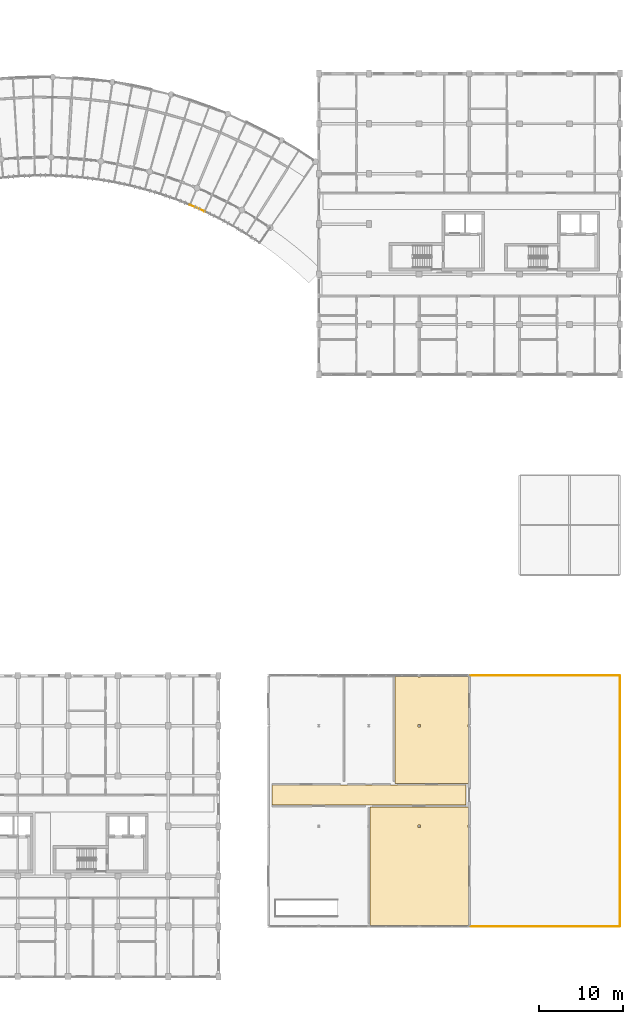
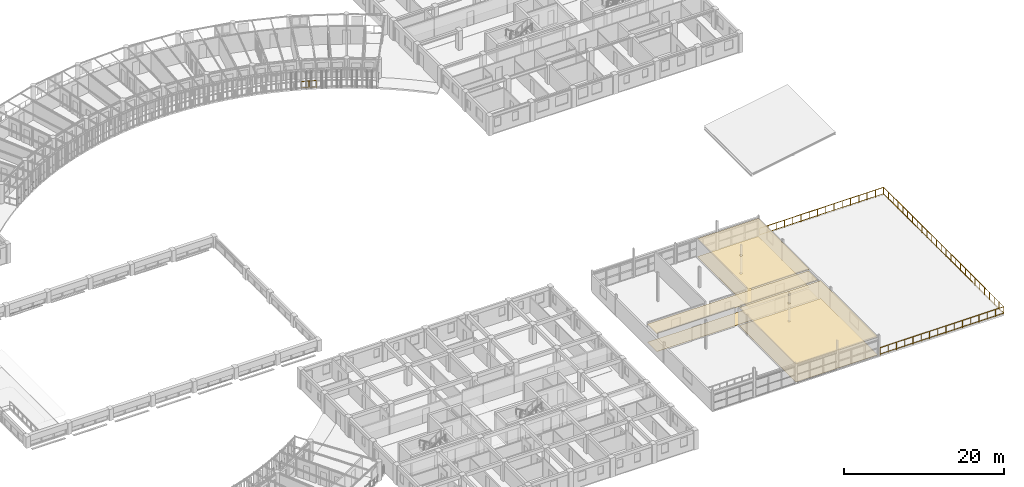
# One storey, part 134 of 137: 6 coverings, 4 railings.
"""IFC4 building model written with IfcOpenShell, lengths in metres."""

from ifc_helpers import new_model, si_unit, direction, frame, origin, origin_2d, place, context, subcontext, project, spatial, polyline, circle, outline, extrude, material, layer, layer_set, type_object, element, save


model = new_model("IFC4")

# Units and contexts
model_context = context("Model", 3, precision=1e-05, world=origin(), true_north=direction((0.0, 1.0)))
body_context = subcontext(model_context, "Body", "Model", "MODEL_VIEW")
ifc_project = project(units=[si_unit("LENGTHUNIT", "METRE"), si_unit("AREAUNIT", "SQUARE_METRE"), si_unit("VOLUMEUNIT", "CUBIC_METRE"), si_unit("PLANEANGLEUNIT", "RADIAN"), si_unit("MASSUNIT", "GRAM", prefix="KILO"), si_unit("POWERUNIT", "WATT"), si_unit("THERMODYNAMICTEMPERATUREUNIT", "KELVIN")], contexts=[model_context])

# Site, building, storey
site_placement = place(None, origin())
site = spatial("IfcSite", under=ifc_project, at=site_placement, CompositionType="ELEMENT")
building_placement = place(site_placement, origin())
building = spatial("IfcBuilding", under=site, at=building_placement, Name="Ruvembo Vaulted Housing Court", CompositionType="ELEMENT")
storey_placement = place(building_placement, frame((0.0, 0.0, 4.5)))
storey = spatial("IfcBuildingStorey", under=building, at=storey_placement, Name="L01", CompositionType="ELEMENT", Elevation=4.5)

# Coverings
ifc_material_1 = material(Name="Perforated Mineral-Fibre Acoustic Tile", Category="gypsum")
ifc_layer_1 = layer(ifc_material_1, 0.02001953125, Name="Perforated Mineral-Fibre Acoustic Tile")
ifc_layer_set_1 = layer_set([ifc_layer_1], Name="Perforated Mineral-Fibre Acoustic Tile")
covering_type_1 = type_object("IfcCoveringType", Name="COV-CEIL-ACOUST", PredefinedType="CEILING", material=ifc_layer_set_1)
covering_1_placement = place(storey_placement, frame((0.0, 0.0, 2.75)))
element("IfcCovering", 1, at=covering_1_placement, inside=storey, type_object=covering_type_1, Name="Shops L01 Shared Arcade Corridor Ceiling", PredefinedType="CEILING", context=body_context, shape_type="SweptSolid", body=[
    extrude(outline(polyline([(144.409912109375, 22.889892578125), (144.409912109375, 20.510009765625), (167.590087890625, 20.510009765625), (167.590087890625, 22.889892578125), (144.409912109375, 22.889892578125)])), origin(), (0.0, 0.0, 1.0), 0.02001953125),
])
covering_2_placement = place(storey_placement, frame((0.0, 0.0, 2.75)))
element("IfcCovering", 2, at=covering_2_placement, inside=storey, type_object=covering_type_1, Name="Community Health & Midwifery Clinic Ceiling", PredefinedType="CEILING", context=body_context, shape_type="SweptSolid", body=[
    extrude(outline(polyline([(156.139892578125, 18.139892578125), (156.139892578125, 17.860107421875), (156.110107421875, 17.860107421875), (156.110107421875, 6.139892578125), (156.139892578125, 6.139892578125), (156.139892578125, 6.110107421875), (161.860107421875, 6.110107421875), (161.860107421875, 6.139892578125), (162.139892578125, 6.139892578125), (162.139892578125, 6.110107421875), (167.860107421875, 6.110107421875), (167.860107421875, 6.139892578125), (167.889892578125, 6.139892578125), (167.889892578125, 17.860107421875), (167.860107421875, 17.860107421875), (167.860107421875, 18.139892578125), (167.889892578125, 18.139892578125), (167.889892578125, 20.2900390625), (156.110107421875, 20.2900390625), (156.110107421875, 18.139892578125), (156.139892578125, 18.139892578125)]), holes=[polyline([(162.139892578125, 17.860107421875), (162.139892578125, 18.139892578125), (161.860107421875, 18.139892578125), (161.860107421875, 17.860107421875), (162.139892578125, 17.860107421875)])]), origin(), (0.0, 0.0, 1.0), 0.02001953125),
])
covering_3_placement = place(storey_placement, frame((0.0, 0.0, 2.75)))
element("IfcCovering", 3, at=covering_3_placement, inside=storey, type_object=covering_type_1, Name="Youth Tutoring & Cafe Lounge Ceiling", PredefinedType="CEILING", context=body_context, shape_type="SweptSolid", body=[
    extrude(outline(polyline([(161.860107421875, 35.860107421875), (161.860107421875, 35.889892578125), (159.110107421875, 35.889892578125), (159.110107421875, 23.110107421875), (167.889892578125, 23.110107421875), (167.889892578125, 29.860107421875), (167.860107421875, 29.860107421875), (167.860107421875, 30.139892578125), (167.889892578125, 30.139892578125), (167.889892578125, 35.860107421875), (167.860107421875, 35.860107421875), (167.860107421875, 35.889892578125), (162.139892578125, 35.889892578125), (162.139892578125, 35.860107421875), (161.860107421875, 35.860107421875)]), holes=[polyline([(162.139892578125, 29.860107421875), (162.139892578125, 30.139892578125), (161.860107421875, 30.139892578125), (161.860107421875, 29.860107421875), (162.139892578125, 29.860107421875)])]), origin(), (0.0, 0.0, 1.0), 0.02001953125),
])
ifc_material_2 = material(Name="Polished Cement-Aggregate Terrazzo", Category="stone")
ifc_layer_2 = layer(ifc_material_2, 0.02197265625, Name="Polished Cement-Aggregate Terrazzo")
ifc_layer_set_2 = layer_set([ifc_layer_2], Name="Polished Cement-Aggregate Terrazzo")
covering_type_2 = type_object("IfcCoveringType", Name="COV-FLR-CERAMIC", PredefinedType="FLOORING", material=ifc_layer_set_2)
covering_4_placement = place(storey_placement, origin())
element("IfcCovering", 4, at=covering_4_placement, inside=storey, type_object=covering_type_2, Name="Shops L01 Shared Arcade Corridor Flooring", PredefinedType="FLOORING", context=body_context, shape_type="SweptSolid", body=[
    extrude(outline(polyline([(144.409912109375, 22.889892578125), (144.409912109375, 20.510009765625), (167.590087890625, 20.510009765625), (167.590087890625, 22.889892578125), (144.409912109375, 22.889892578125)])), origin(), (0.0, 0.0, 1.0), 0.02197265625),
])
covering_5_placement = place(storey_placement, origin())
element("IfcCovering", 5, at=covering_5_placement, inside=storey, type_object=covering_type_2, Name="Community Health & Midwifery Clinic Flooring", PredefinedType="FLOORING", context=body_context, shape_type="SweptSolid", body=[
    extrude(outline(polyline([(156.139892578125, 18.139892578125), (156.139892578125, 17.860107421875), (156.110107421875, 17.860107421875), (156.110107421875, 6.139892578125), (156.139892578125, 6.139892578125), (156.139892578125, 6.110107421875), (161.860107421875, 6.110107421875), (161.860107421875, 6.139892578125), (162.139892578125, 6.139892578125), (162.139892578125, 6.110107421875), (167.860107421875, 6.110107421875), (167.860107421875, 6.139892578125), (167.889892578125, 6.139892578125), (167.889892578125, 17.860107421875), (167.860107421875, 17.860107421875), (167.860107421875, 18.139892578125), (167.889892578125, 18.139892578125), (167.889892578125, 20.2900390625), (156.110107421875, 20.2900390625), (156.110107421875, 18.139892578125), (156.139892578125, 18.139892578125)]), holes=[polyline([(162.139892578125, 17.860107421875), (162.139892578125, 18.139892578125), (161.860107421875, 18.139892578125), (161.860107421875, 17.860107421875), (162.139892578125, 17.860107421875)])]), origin(), (0.0, 0.0, 1.0), 0.02197265625),
])
covering_6_placement = place(storey_placement, origin())
element("IfcCovering", 6, at=covering_6_placement, inside=storey, type_object=covering_type_2, Name="Youth Tutoring & Cafe Lounge Flooring", PredefinedType="FLOORING", context=body_context, shape_type="SweptSolid", body=[
    extrude(outline(polyline([(161.860107421875, 35.860107421875), (161.860107421875, 35.889892578125), (159.110107421875, 35.889892578125), (159.110107421875, 23.110107421875), (167.889892578125, 23.110107421875), (167.889892578125, 29.860107421875), (167.860107421875, 29.860107421875), (167.860107421875, 30.139892578125), (167.889892578125, 30.139892578125), (167.889892578125, 35.860107421875), (167.860107421875, 35.860107421875), (167.860107421875, 35.889892578125), (162.139892578125, 35.889892578125), (162.139892578125, 35.860107421875), (161.860107421875, 35.860107421875)]), holes=[polyline([(162.139892578125, 29.860107421875), (162.139892578125, 30.139892578125), (161.860107421875, 30.139892578125), (161.860107421875, 29.860107421875), (162.139892578125, 29.860107421875)])]), origin(), (0.0, 0.0, 1.0), 0.02197265625),
])

# Railings
ifc_material_3 = material(Name="Galvanised Painted Steel and Laminated Glass", Category="steel")
ifc_layer_3 = layer(ifc_material_3, 0.070068359375, Name="Galvanised Painted Steel and Laminated Glass")
ifc_layer_set_3 = layer_set([ifc_layer_3], Name="Galvanised Painted Steel and Laminated Glass")
railing_type_1 = type_object("IfcRailingType", Name="RL-BALUST-1120", PredefinedType="BALUSTRADE", material=ifc_layer_set_3)
railing_1_placement = place(storey_placement, frame((168.14990234375, 6.0, 0.0)))
element("IfcRailing", 7, at=railing_1_placement, inside=storey, type_object=railing_type_1, Name="L01 Perimeter Guard RL-EXT-L01-0884", PredefinedType="BALUSTRADE", context=body_context, shape_type="SweptSolid", body=[
    extrude(circle(Radius=0.02392578125, at=origin_2d()), frame((0.0, 0.0, 1.09619140625), z_axis=(1.0, 0.0, 0.0), x_axis=(0.0, 1.0, 0.0)), (0.0, 0.0, 1.0), 17.85009765625),
    extrude(circle(Radius=0.01806640625, at=origin_2d()), frame((0.0, 0.0, 0.1201171875), z_axis=(1.0, 0.0, 0.0), x_axis=(0.0, 1.0, 0.0)), (0.0, 0.0, 1.0), 17.85009765625),
    extrude(circle(Radius=0.02099609375, at=origin_2d()), origin(), (0.0, 0.0, 1.0), 1.072021484375),
    extrude(circle(Radius=0.02099609375, at=origin_2d()), frame((1.18994140625, 0.0, 0.0)), (0.0, 0.0, 1.0), 1.072021484375),
    extrude(circle(Radius=0.02099609375, at=origin_2d()), frame((2.380126953125, 0.0, 0.0)), (0.0, 0.0, 1.0), 1.072021484375),
    extrude(circle(Radius=0.02099609375, at=origin_2d()), frame((3.570068359375, 0.0, 0.0)), (0.0, 0.0, 1.0), 1.072021484375),
    extrude(circle(Radius=0.02099609375, at=origin_2d()), frame((4.760009765625, 0.0, 0.0)), (0.0, 0.0, 1.0), 1.072021484375),
    extrude(circle(Radius=0.02099609375, at=origin_2d()), frame((5.949951171875, 0.0, 0.0)), (0.0, 0.0, 1.0), 1.072021484375),
    extrude(circle(Radius=0.02099609375, at=origin_2d()), frame((7.14013671875, 0.0, 0.0)), (0.0, 0.0, 1.0), 1.072021484375),
    extrude(circle(Radius=0.02099609375, at=origin_2d()), frame((8.330078125, 0.0, 0.0)), (0.0, 0.0, 1.0), 1.072021484375),
    extrude(circle(Radius=0.02099609375, at=origin_2d()), frame((9.52001953125, 0.0, 0.0)), (0.0, 0.0, 1.0), 1.072021484375),
    extrude(circle(Radius=0.02099609375, at=origin_2d()), frame((10.7099609375, 0.0, 0.0)), (0.0, 0.0, 1.0), 1.072021484375),
    extrude(circle(Radius=0.02099609375, at=origin_2d()), frame((11.900146484375, 0.0, 0.0)), (0.0, 0.0, 1.0), 1.072021484375),
    extrude(circle(Radius=0.02099609375, at=origin_2d()), frame((13.090087890625, 0.0, 0.0)), (0.0, 0.0, 1.0), 1.072021484375),
    extrude(circle(Radius=0.02099609375, at=origin_2d()), frame((14.280029296875, 0.0, 0.0)), (0.0, 0.0, 1.0), 1.072021484375),
    extrude(circle(Radius=0.02099609375, at=origin_2d()), frame((15.469970703125, 0.0, 0.0)), (0.0, 0.0, 1.0), 1.072021484375),
    extrude(circle(Radius=0.02099609375, at=origin_2d()), frame((16.66015625, 0.0, 0.0)), (0.0, 0.0, 1.0), 1.072021484375),
    extrude(circle(Radius=0.02099609375, at=origin_2d()), frame((17.85009765625, 0.0, 0.0)), (0.0, 0.0, 1.0), 1.072021484375),
])
railing_2_placement = place(storey_placement, frame((186.0, 6.0, 0.0)))
element("IfcRailing", 8, at=railing_2_placement, inside=storey, type_object=railing_type_1, Name="L01 Perimeter Guard RL-EXT-L01-0885", PredefinedType="BALUSTRADE", context=body_context, shape_type="SweptSolid", body=[
    extrude(circle(Radius=0.02392578125, at=origin_2d()), frame((0.0, 0.0, 1.09619140625), z_axis=(0.0, 1.0, 0.0), x_axis=(-1.0, 0.0, 0.0)), (0.0, 0.0, 1.0), 30.0),
    extrude(circle(Radius=0.01806640625, at=origin_2d()), frame((0.0, 0.0, 0.1201171875), z_axis=(0.0, 1.0, 0.0), x_axis=(-1.0, 0.0, 0.0)), (0.0, 0.0, 1.0), 30.0),
    extrude(circle(Radius=0.02099609375, at=origin_2d()), origin(), (0.0, 0.0, 1.0), 1.072021484375),
    extrude(circle(Radius=0.02099609375, at=origin_2d()), frame((0.0, 1.199951171875, 0.0)), (0.0, 0.0, 1.0), 1.072021484375),
    extrude(circle(Radius=0.02099609375, at=origin_2d()), frame((0.0, 2.39990234375, 0.0)), (0.0, 0.0, 1.0), 1.072021484375),
    extrude(circle(Radius=0.02099609375, at=origin_2d()), frame((0.0, 3.60009765625, 0.0)), (0.0, 0.0, 1.0), 1.072021484375),
    extrude(circle(Radius=0.02099609375, at=origin_2d()), frame((0.0, 4.800048828125, 0.0)), (0.0, 0.0, 1.0), 1.072021484375),
    extrude(circle(Radius=0.02099609375, at=origin_2d()), frame((0.0, 6.0, 0.0)), (0.0, 0.0, 1.0), 1.072021484375),
    extrude(circle(Radius=0.02099609375, at=origin_2d()), frame((0.0, 7.199951171875, 0.0)), (0.0, 0.0, 1.0), 1.072021484375),
    extrude(circle(Radius=0.02099609375, at=origin_2d()), frame((0.0, 8.39990234375, 0.0)), (0.0, 0.0, 1.0), 1.072021484375),
    extrude(circle(Radius=0.02099609375, at=origin_2d()), frame((0.0, 9.60009765625, 0.0)), (0.0, 0.0, 1.0), 1.072021484375),
    extrude(circle(Radius=0.02099609375, at=origin_2d()), frame((0.0, 10.800048828125, 0.0)), (0.0, 0.0, 1.0), 1.072021484375),
    extrude(circle(Radius=0.02099609375, at=origin_2d()), frame((0.0, 12.0, 0.0)), (0.0, 0.0, 1.0), 1.072021484375),
    extrude(circle(Radius=0.02099609375, at=origin_2d()), frame((0.0, 13.199951171875, 0.0)), (0.0, 0.0, 1.0), 1.072021484375),
    extrude(circle(Radius=0.02099609375, at=origin_2d()), frame((0.0, 14.39990234375, 0.0)), (0.0, 0.0, 1.0), 1.072021484375),
    extrude(circle(Radius=0.02099609375, at=origin_2d()), frame((0.0, 15.60009765625, 0.0)), (0.0, 0.0, 1.0), 1.072021484375),
    extrude(circle(Radius=0.02099609375, at=origin_2d()), frame((0.0, 16.800048828125, 0.0)), (0.0, 0.0, 1.0), 1.072021484375),
    extrude(circle(Radius=0.02099609375, at=origin_2d()), frame((0.0, 18.0, 0.0)), (0.0, 0.0, 1.0), 1.072021484375),
    extrude(circle(Radius=0.02099609375, at=origin_2d()), frame((0.0, 19.199951171875, 0.0)), (0.0, 0.0, 1.0), 1.072021484375),
    extrude(circle(Radius=0.02099609375, at=origin_2d()), frame((0.0, 20.39990234375, 0.0)), (0.0, 0.0, 1.0), 1.072021484375),
    extrude(circle(Radius=0.02099609375, at=origin_2d()), frame((0.0, 21.60009765625, 0.0)), (0.0, 0.0, 1.0), 1.072021484375),
    extrude(circle(Radius=0.02099609375, at=origin_2d()), frame((0.0, 22.800048828125, 0.0)), (0.0, 0.0, 1.0), 1.072021484375),
    extrude(circle(Radius=0.02099609375, at=origin_2d()), frame((0.0, 24.0, 0.0)), (0.0, 0.0, 1.0), 1.072021484375),
    extrude(circle(Radius=0.02099609375, at=origin_2d()), frame((0.0, 25.199951171875, 0.0)), (0.0, 0.0, 1.0), 1.072021484375),
    extrude(circle(Radius=0.02099609375, at=origin_2d()), frame((0.0, 26.39990234375, 0.0)), (0.0, 0.0, 1.0), 1.072021484375),
    extrude(circle(Radius=0.02099609375, at=origin_2d()), frame((0.0, 27.60009765625, 0.0)), (0.0, 0.0, 1.0), 1.072021484375),
    extrude(circle(Radius=0.02099609375, at=origin_2d()), frame((0.0, 28.800048828125, 0.0)), (0.0, 0.0, 1.0), 1.072021484375),
    extrude(circle(Radius=0.02099609375, at=origin_2d()), frame((0.0, 30.0, 0.0)), (0.0, 0.0, 1.0), 1.072021484375),
])
railing_3_placement = place(storey_placement, frame((186.0, 36.0, 0.0)))
element("IfcRailing", 9, at=railing_3_placement, inside=storey, type_object=railing_type_1, Name="L01 Perimeter Guard RL-EXT-L01-0886", PredefinedType="BALUSTRADE", context=body_context, shape_type="SweptSolid", body=[
    extrude(circle(Radius=0.02392578125, at=origin_2d()), frame((0.0, 0.0, 1.09619140625), z_axis=(-1.0, 0.0, 0.0), x_axis=(0.0, -1.0, 0.0)), (0.0, 0.0, 1.0), 17.85009765625),
    extrude(circle(Radius=0.01806640625, at=origin_2d()), frame((0.0, 0.0, 0.1201171875), z_axis=(-1.0, 0.0, 0.0), x_axis=(0.0, -1.0, 0.0)), (0.0, 0.0, 1.0), 17.85009765625),
    extrude(circle(Radius=0.02099609375, at=origin_2d()), origin(), (0.0, 0.0, 1.0), 1.072021484375),
    extrude(circle(Radius=0.02099609375, at=origin_2d()), frame((-1.18994140625, 0.0, 0.0)), (0.0, 0.0, 1.0), 1.072021484375),
    extrude(circle(Radius=0.02099609375, at=origin_2d()), frame((-2.380126953125, 0.0, 0.0)), (0.0, 0.0, 1.0), 1.072021484375),
    extrude(circle(Radius=0.02099609375, at=origin_2d()), frame((-3.570068359375, 0.0, 0.0)), (0.0, 0.0, 1.0), 1.072021484375),
    extrude(circle(Radius=0.02099609375, at=origin_2d()), frame((-4.760009765625, 0.0, 0.0)), (0.0, 0.0, 1.0), 1.072021484375),
    extrude(circle(Radius=0.02099609375, at=origin_2d()), frame((-5.949951171875, 0.0, 0.0)), (0.0, 0.0, 1.0), 1.072021484375),
    extrude(circle(Radius=0.02099609375, at=origin_2d()), frame((-7.14013671875, 0.0, 0.0)), (0.0, 0.0, 1.0), 1.072021484375),
    extrude(circle(Radius=0.02099609375, at=origin_2d()), frame((-8.330078125, 0.0, 0.0)), (0.0, 0.0, 1.0), 1.072021484375),
    extrude(circle(Radius=0.02099609375, at=origin_2d()), frame((-9.52001953125, 0.0, 0.0)), (0.0, 0.0, 1.0), 1.072021484375),
    extrude(circle(Radius=0.02099609375, at=origin_2d()), frame((-10.7099609375, 0.0, 0.0)), (0.0, 0.0, 1.0), 1.072021484375),
    extrude(circle(Radius=0.02099609375, at=origin_2d()), frame((-11.900146484375, 0.0, 0.0)), (0.0, 0.0, 1.0), 1.072021484375),
    extrude(circle(Radius=0.02099609375, at=origin_2d()), frame((-13.090087890625, 0.0, 0.0)), (0.0, 0.0, 1.0), 1.072021484375),
    extrude(circle(Radius=0.02099609375, at=origin_2d()), frame((-14.280029296875, 0.0, 0.0)), (0.0, 0.0, 1.0), 1.072021484375),
    extrude(circle(Radius=0.02099609375, at=origin_2d()), frame((-15.469970703125, 0.0, 0.0)), (0.0, 0.0, 1.0), 1.072021484375),
    extrude(circle(Radius=0.02099609375, at=origin_2d()), frame((-16.66015625, 0.0, 0.0)), (0.0, 0.0, 1.0), 1.072021484375),
    extrude(circle(Radius=0.02099609375, at=origin_2d()), frame((-17.85009765625, 0.0, 0.0)), (0.0, 0.0, 1.0), 1.072021484375),
])
ifc_material_4 = material(Name="Galvanised Painted Steel S275", Category="steel")
ifc_layer_4 = layer(ifc_material_4, 0.06005859375, Name="Galvanised Painted Steel S275")
ifc_layer_set_4 = layer_set([ifc_layer_4], Name="Galvanised Painted Steel S275")
railing_type_2 = type_object("IfcRailingType", Name="RL-GUARD-1100", PredefinedType="GUARDRAIL", material=ifc_layer_set_4)
railing_4_placement = place(storey_placement, frame((134.5966796875, 92.28466796875, 0.0)))
element("IfcRailing", 10, at=railing_4_placement, inside=storey, type_object=railing_type_2, Name="L01 Perimeter Guard RL-EXT-L01-0579", PredefinedType="GUARDRAIL", context=body_context, shape_type="SweptSolid", body=[
    extrude(circle(Radius=0.02392578125, at=origin_2d()), frame((0.0, 0.0, 1.076171875), z_axis=(0.91507815309, -0.403276547467, 0.0), x_axis=(0.403276547467, 0.91507815309, 0.0)), (0.0, 0.0, 1.0), 1.90087890625),
    extrude(circle(Radius=0.01806640625, at=origin_2d()), frame((0.0, 0.0, 0.1201171875), z_axis=(0.91507815309, -0.403276547467, 0.0), x_axis=(0.403276547467, 0.91507815309, 0.0)), (0.0, 0.0, 1.0), 1.90087890625),
    extrude(circle(Radius=0.02099609375, at=origin_2d()), origin(), (0.0, 0.0, 1.0), 1.052001953125),
    extrude(circle(Radius=0.02099609375, at=origin_2d()), frame((0.86962890625, -0.38330078125, 0.0)), (0.0, 0.0, 1.0), 1.052001953125),
    extrude(circle(Radius=0.02099609375, at=origin_2d()), frame((1.739501953125, -0.7666015625, 0.0)), (0.0, 0.0, 1.0), 1.052001953125),
])

save(model, "model.ifc")
